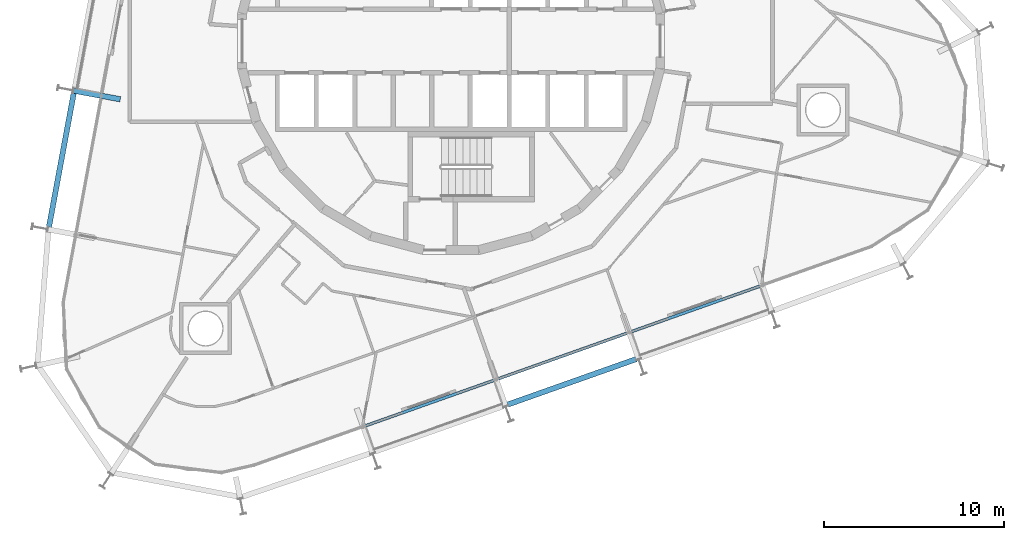
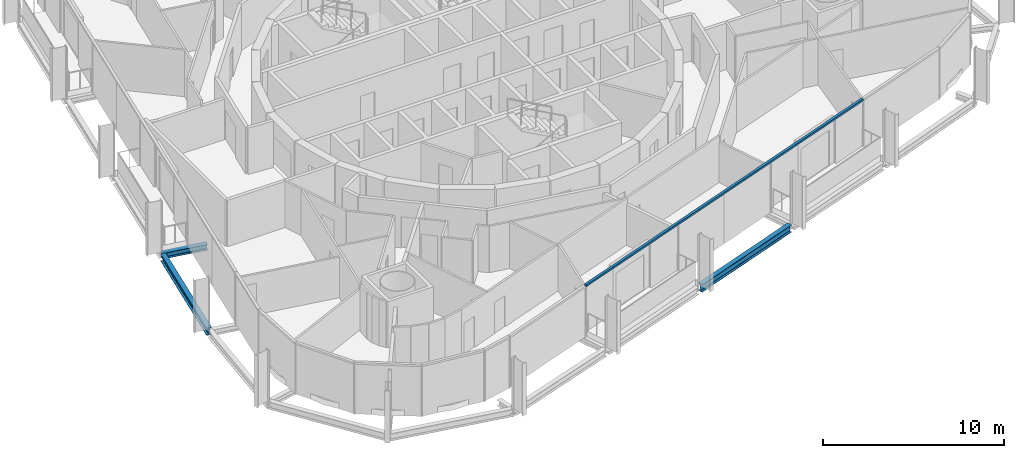
# One storey, part 3 of 17: 3 beams, 1 member, 1 element without a shape of its own.
"""IFC4 building model written with IfcOpenShell, lengths in metres."""

from ifc_helpers import new_model, si_unit, direction, frame, origin, origin_2d, place, context, subcontext, project, spatial, rectangle, i_section, extrude, material, layer, layer_set, material_profile, profile_set, type_object, element, aggregate, save


model = new_model("IFC4")

# Units and contexts
model_context = context("Model", 3, precision=1e-05, world=origin(), true_north=direction((0.0, 1.0)))
body_context = subcontext(model_context, "Body", "Model", "MODEL_VIEW")
ifc_project = project(units=[si_unit("LENGTHUNIT", "METRE"), si_unit("AREAUNIT", "SQUARE_METRE"), si_unit("VOLUMEUNIT", "CUBIC_METRE"), si_unit("PLANEANGLEUNIT", "RADIAN"), si_unit("MASSUNIT", "GRAM", prefix="KILO")], contexts=[model_context])

# Site, building, storey
site_placement = place(None, origin())
site = spatial("IfcSite", under=ifc_project, at=site_placement, CompositionType="ELEMENT")
building_placement = place(site_placement, origin())
building = spatial("IfcBuilding", under=site, at=building_placement, Name="Spindle Arch Residences", CompositionType="ELEMENT")
storey_placement = place(building_placement, frame((0.0, 0.0, 158.699951171875)))
storey = spatial("IfcBuildingStorey", under=building, at=storey_placement, Name="L39", CompositionType="ELEMENT", Elevation=158.699951171875)

# Curtain wall, member
ifc_material_1 = material(Name="Aluminium bronze unitised frame with tinted glass", Category="aluminium")
ifc_layer = layer(ifc_material_1, 0.159912109375)
ifc_layer_set = layer_set([ifc_layer], Name="CW-C typical residential unitised wall")
curtain_wall_type = type_object("IfcCurtainWallType", Name="CW-C typical residential unitised wall", PredefinedType="NOTDEFINED", material=ifc_layer_set)
curtain_wall_placement = place(storey_placement, origin())
curtain_wall = element("IfcCurtainWall", 1, at=curtain_wall_placement, inside=storey, type_object=curtain_wall_type, Name="CW-C L39 run 6", PredefinedType="NOTDEFINED")
ifc_material_2 = material(Name="Aluminium bronze anodised transom", Category="aluminium")
ifc_material_profile_1 = material_profile(ifc_material_2, rectangle(XDim=0.159912109375, YDim=0.1201171875, at=origin_2d()), Name="TR 120x160")
ifc_profile_set_1 = profile_set([ifc_material_profile_1], Name="Aluminium bronze anodised transom")
member_type = type_object("IfcMemberType", Name="Bronze transom 120x160", PredefinedType="USERDEFINED", material=ifc_profile_set_1)
member_placement = place(storey_placement, frame((-4.87255859375, -21.470947265625, 3.06005859375), z_axis=(0.94264008639, 0.333810825963, 0.0), x_axis=(-0.333810825963, 0.94264008639, 0.0)))
member = element("IfcMember", 2, at=member_placement, type_object=member_type, Name="CW-C transom 00", ObjectType="TRANSOM", PredefinedType="USERDEFINED", context=body_context, shape_type="SweptSolid", body=[
    extrude(rectangle(XDim=0.159912109375, YDim=0.1201171875, at=origin_2d()), origin(), (0.0, 0.0, 1.0), 23.520263671875),
])
aggregate(curtain_wall, [member])

# Beams
ifc_material_3 = material(Name="Steel S460ML, intumescent coating R 120", Category="steel")
ifc_material_profile_2 = material_profile(ifc_material_3, i_section(OverallWidth=0.300048828125, OverallDepth=0.5, WebThickness=0.014404296875, FlangeThickness=0.028076171875, FilletRadius=0.027099609375, at=origin_2d()), Name="HEB 500")
ifc_profile_set_2 = profile_set([ifc_material_profile_2], Name="Steel S460ML, intumescent coating R 120")
beam_type_1 = type_object("IfcBeamType", Name="Exoskeleton edge beam HEB 500", PredefinedType="BEAM", material=ifc_profile_set_2)
for number, where, z_axis, x_axis, name in (
    (3, (-21.02294921875, -2.8974609375, -0.6298828125), (-0.182234195466, -0.983255154069, 0.0), (0.983255154069, -0.182234195466, 0.0), "Exoskeleton edge beam 16"),
    (4, (3.141845703125, -20.256103515625, -0.6298828125), (0.942633964352, 0.33382811333, 0.0), (-0.33382811333, 0.942633964352, 0.0), "Exoskeleton edge beam 22"),
):
    element("IfcBeam", number, at=place(storey_placement, frame(where, z_axis=z_axis, x_axis=x_axis)), inside=storey, type_object=beam_type_1, Name=name, PredefinedType="BEAM", context=body_context, shape_type="SweptSolid", body=[
        extrude(i_section(OverallWidth=0.300048828125, OverallDepth=0.5, WebThickness=0.014404296875, FlangeThickness=0.028076171875, FilletRadius=0.027099609375, at=origin_2d()), origin(), (0.0, 0.0, 1.0), 7.60009765625),
    ])
ifc_material_4 = material(Name="Steel S460ML, intumescent coating R 120", Category="steel")
ifc_material_profile_3 = material_profile(ifc_material_4, i_section(OverallWidth=0.300048828125, OverallDepth=0.389892578125, WebThickness=0.010986328125, FlangeThickness=0.01904296875, FilletRadius=0.027099609375, at=origin_2d()), Name="HEA 400")
ifc_profile_set_3 = profile_set([ifc_material_profile_3], Name="Steel S460ML, intumescent coating R 120")
beam_type_2 = type_object("IfcBeamType", Name="Floor outrigger HEA 400", PredefinedType="BEAM", material=ifc_profile_set_3)
beam_placement = place(storey_placement, frame((-21.03857421875, -2.76220703125, -0.574951171875), z_axis=(0.983253888741, -0.182241022482, 0.0), x_axis=(0.182241022482, 0.983253888741, 0.0)))
element("IfcBeam", 5, at=beam_placement, inside=storey, type_object=beam_type_2, Name="Floor outrigger 16", PredefinedType="BEAM", context=body_context, shape_type="SweptSolid", body=[
    extrude(i_section(OverallWidth=0.300048828125, OverallDepth=0.389892578125, WebThickness=0.010986328125, FlangeThickness=0.01904296875, FilletRadius=0.027099609375, at=origin_2d()), origin(), (0.0, 0.0, 1.0), 2.64990234375),
])

save(model, "model.ifc")
